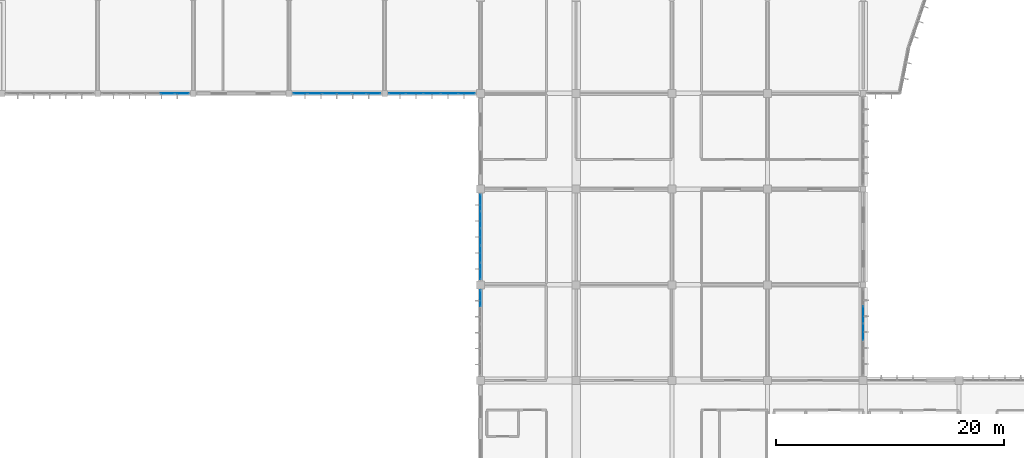
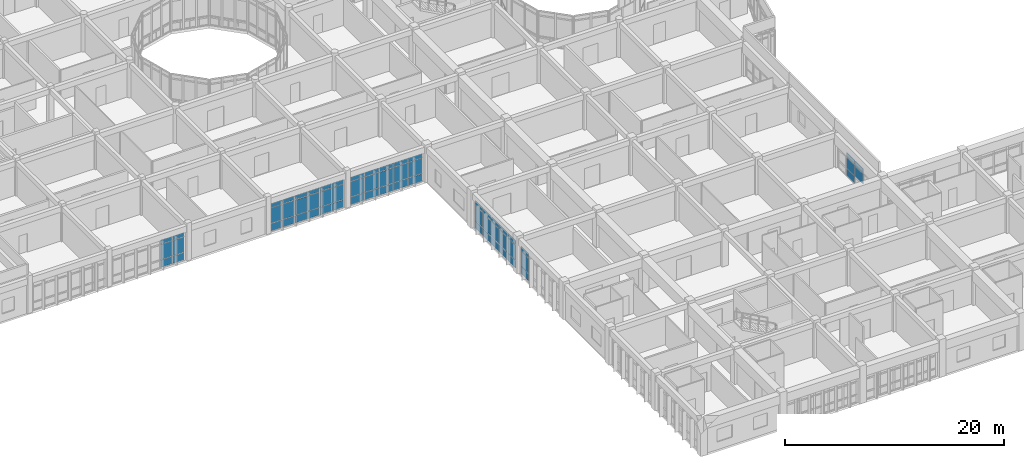
# One storey, part 58 of 119: 62 plates, 6 elements without a shape of their own.
"""IFC4 building model written with IfcOpenShell, lengths in metres."""

from ifc_helpers import new_model, si_unit, direction, frame, origin, origin_2d, place, context, subcontext, project, spatial, rectangle, extrude, material, layer, layer_set, type_object, element, aggregate, save


model = new_model("IFC4")

# Units and contexts
model_context = context("Model", 3, precision=1e-05, world=origin(), true_north=direction((0.0, 1.0)))
body_context = subcontext(model_context, "Body", "Model", "MODEL_VIEW")
ifc_project = project(units=[si_unit("LENGTHUNIT", "METRE"), si_unit("AREAUNIT", "SQUARE_METRE"), si_unit("VOLUMEUNIT", "CUBIC_METRE"), si_unit("PLANEANGLEUNIT", "RADIAN"), si_unit("MASSUNIT", "GRAM", prefix="KILO")], contexts=[model_context])

# Site, building, storey
site_placement = place(None, origin())
site = spatial("IfcSite", under=ifc_project, at=site_placement, CompositionType="ELEMENT")
building_placement = place(site_placement, origin())
building = spatial("IfcBuilding", under=site, at=building_placement, Name="Bramfleet General Hospital", CompositionType="ELEMENT")
storey_placement = place(building_placement, frame((0.0, 0.0, 14.39990234375)))
storey = spatial("IfcBuildingStorey", under=building, at=storey_placement, Name="L03", CompositionType="ELEMENT", Elevation=14.39990234375)

# Curtain wall, plates
ifc_material_1 = material(Name="Anodised aluminium and low-E triple glazing", Category="aluminium")
ifc_layer_1 = layer(ifc_material_1, 0.179931640625, Name="CWT-CW-15")
ifc_layer_set_1 = layer_set([ifc_layer_1], Name="Anodised aluminium and low-E triple glazing")
curtain_wall_type_1 = type_object("IfcCurtainWallType", Name="CWT-CW-15", PredefinedType="USERDEFINED", material=ifc_layer_set_1)
curtain_wall_1_placement = place(storey_placement, origin())
curtain_wall_1 = element("IfcCurtainWall", 1, at=curtain_wall_1_placement, inside=storey, type_object=curtain_wall_type_1, Name="L03 Curtain Wall 177", ObjectType="Stick curtain wall", PredefinedType="USERDEFINED")
ifc_material_2 = material(Name="Low-E laminated safety glass", Category="glass")
ifc_layer_2 = layer(ifc_material_2, 0.028076171875, Name="CWP-GLZ-1")
ifc_layer_set_2 = layer_set([ifc_layer_2], Name="Low-E laminated safety glass")
plate_type_1 = type_object("IfcPlateType", Name="CWP-GLZ-1", PredefinedType="CURTAIN_PANEL", material=ifc_layer_set_2)
plate_1_placement = place(storey_placement, frame((92.39990234375, 32.402587890625, 0.06494140625), z_axis=(0.0, 0.0, 1.0), x_axis=(0.0, 1.0, 0.0)))
plate_1 = element("IfcPlate", 2, at=plate_1_placement, type_object=plate_type_1, Name="CW-15 panel 5.1", PredefinedType="CURTAIN_PANEL", context=body_context, shape_type="SweptSolid", body=[
    extrude(rectangle(XDim=1.405029296875, YDim=0.028076171875, at=origin_2d()), origin(), (0.0, 0.0, 1.0), 0.802490234375),
])
plate_2_placement = place(storey_placement, frame((92.39990234375, 32.402587890625, 0.9326171875), z_axis=(0.0, 0.0, 1.0), x_axis=(0.0, 1.0, 0.0)))
plate_2 = element("IfcPlate", 3, at=plate_2_placement, type_object=plate_type_1, Name="CW-15 panel 5.2", PredefinedType="CURTAIN_PANEL", context=body_context, shape_type="SweptSolid", body=[
    extrude(rectangle(XDim=1.405029296875, YDim=0.028076171875, at=origin_2d()), origin(), (0.0, 0.0, 1.0), 1.675048828125),
])
plate_3_placement = place(storey_placement, frame((92.39990234375, 32.402587890625, 2.6728515625), z_axis=(0.0, 0.0, 1.0), x_axis=(0.0, 1.0, 0.0)))
plate_3 = element("IfcPlate", 4, at=plate_3_placement, type_object=plate_type_1, Name="CW-15 panel 5.3", PredefinedType="CURTAIN_PANEL", context=body_context, shape_type="SweptSolid", body=[
    extrude(rectangle(XDim=1.405029296875, YDim=0.028076171875, at=origin_2d()), origin(), (0.0, 0.0, 1.0), 0.452392578125),
])
aggregate(curtain_wall_1, [plate_1, plate_2, plate_3])

ifc_layer_3 = layer(ifc_material_1, 0.179931640625, Name="CWT-CW-01")
ifc_layer_set_3 = layer_set([ifc_layer_3], Name="Anodised aluminium and low-E triple glazing")
curtain_wall_type_2 = type_object("IfcCurtainWallType", Name="CWT-CW-01", PredefinedType="USERDEFINED", material=ifc_layer_set_3)
curtain_wall_2_placement = place(storey_placement, origin())
curtain_wall_2 = element("IfcCurtainWall", 5, at=curtain_wall_2_placement, inside=storey, type_object=curtain_wall_type_2, Name="L03 Curtain Wall 181", ObjectType="Unitised curtain wall", PredefinedType="USERDEFINED")
plate_4_placement = place(storey_placement, frame((66.211669921875, 50.39990234375, 0.06494140625), z_axis=(0.0, 0.0, 1.0), x_axis=(-1.0, 0.0, 0.0)))
plate_4 = element("IfcPlate", 6, at=plate_4_placement, type_object=plate_type_1, Name="CW-01 panel 1.1", PredefinedType="CURTAIN_PANEL", context=body_context, shape_type="SweptSolid", body=[
    extrude(rectangle(XDim=1.186767578125, YDim=0.028076171875, at=origin_2d()), origin(), (0.0, 0.0, 1.0), 0.802490234375),
])
plate_5_placement = place(storey_placement, frame((66.211669921875, 50.39990234375, 0.9326171875), z_axis=(0.0, 0.0, 1.0), x_axis=(-1.0, 0.0, 0.0)))
plate_5 = element("IfcPlate", 7, at=plate_5_placement, type_object=plate_type_1, Name="CW-01 panel 1.2", PredefinedType="CURTAIN_PANEL", context=body_context, shape_type="SweptSolid", body=[
    extrude(rectangle(XDim=1.186767578125, YDim=0.028076171875, at=origin_2d()), origin(), (0.0, 0.0, 1.0), 1.675048828125),
])
plate_6_placement = place(storey_placement, frame((66.211669921875, 50.39990234375, 2.6728515625), z_axis=(0.0, 0.0, 1.0), x_axis=(-1.0, 0.0, 0.0)))
plate_6 = element("IfcPlate", 8, at=plate_6_placement, type_object=plate_type_1, Name="CW-01 panel 1.3", PredefinedType="CURTAIN_PANEL", context=body_context, shape_type="SweptSolid", body=[
    extrude(rectangle(XDim=1.186767578125, YDim=0.028076171875, at=origin_2d()), origin(), (0.0, 0.0, 1.0), 0.452392578125),
])
plate_7_placement = place(storey_placement, frame((64.9375, 50.39990234375, 0.06494140625), z_axis=(0.0, 0.0, 1.0), x_axis=(-1.0, 0.0, 0.0)))
plate_7 = element("IfcPlate", 9, at=plate_7_placement, type_object=plate_type_1, Name="CW-01 panel 2.1", PredefinedType="CURTAIN_PANEL", context=body_context, shape_type="SweptSolid", body=[
    extrude(rectangle(XDim=1.2216796875, YDim=0.028076171875, at=origin_2d()), origin(), (0.0, 0.0, 1.0), 0.802490234375),
])
plate_8_placement = place(storey_placement, frame((64.9375, 50.39990234375, 0.9326171875), z_axis=(0.0, 0.0, 1.0), x_axis=(-1.0, 0.0, 0.0)))
plate_8 = element("IfcPlate", 10, at=plate_8_placement, type_object=plate_type_1, Name="CW-01 panel 2.2", PredefinedType="CURTAIN_PANEL", context=body_context, shape_type="SweptSolid", body=[
    extrude(rectangle(XDim=1.2216796875, YDim=0.028076171875, at=origin_2d()), origin(), (0.0, 0.0, 1.0), 1.675048828125),
])
plate_9_placement = place(storey_placement, frame((64.9375, 50.39990234375, 2.6728515625), z_axis=(0.0, 0.0, 1.0), x_axis=(-1.0, 0.0, 0.0)))
plate_9 = element("IfcPlate", 11, at=plate_9_placement, type_object=plate_type_1, Name="CW-01 panel 2.3", PredefinedType="CURTAIN_PANEL", context=body_context, shape_type="SweptSolid", body=[
    extrude(rectangle(XDim=1.2216796875, YDim=0.028076171875, at=origin_2d()), origin(), (0.0, 0.0, 1.0), 0.452392578125),
])
aggregate(curtain_wall_2, [plate_4, plate_5, plate_6, plate_7, plate_8, plate_9])

ifc_layer_4 = layer(ifc_material_1, 0.179931640625, Name="CWT-CW-16")
ifc_layer_set_4 = layer_set([ifc_layer_4], Name="Anodised aluminium and low-E triple glazing")
curtain_wall_type_3 = type_object("IfcCurtainWallType", Name="CWT-CW-16", PredefinedType="USERDEFINED", material=ifc_layer_set_4)
curtain_wall_3_placement = place(storey_placement, origin())
curtain_wall_3 = element("IfcCurtainWall", 12, at=curtain_wall_3_placement, inside=storey, type_object=curtain_wall_type_3, Name="L03 Curtain Wall 178", ObjectType="Stick curtain wall", PredefinedType="USERDEFINED")
ifc_layer_5 = layer(ifc_material_2, 0.031982421875, Name="CWP-GLZ-2")
ifc_layer_set_5 = layer_set([ifc_layer_5], Name="Low-E laminated safety glass")
plate_type_2 = type_object("IfcPlateType", Name="CWP-GLZ-2", PredefinedType="CURTAIN_PANEL", material=ifc_layer_set_5)
plate_10_placement = place(storey_placement, frame((92.39990234375, 34.797607421875, 0.06494140625), z_axis=(0.0, 0.0, 1.0), x_axis=(0.0, 1.0, 0.0)))
plate_10 = element("IfcPlate", 13, at=plate_10_placement, type_object=plate_type_2, Name="CW-16 panel 1.1", PredefinedType="CURTAIN_PANEL", context=body_context, shape_type="SweptSolid", body=[
    extrude(rectangle(XDim=1.405029296875, YDim=0.031982421875, at=origin_2d()), origin(), (0.0, 0.0, 1.0), 0.802490234375),
])
plate_11_placement = place(storey_placement, frame((92.39990234375, 34.797607421875, 0.9326171875), z_axis=(0.0, 0.0, 1.0), x_axis=(0.0, 1.0, 0.0)))
plate_11 = element("IfcPlate", 14, at=plate_11_placement, type_object=plate_type_2, Name="CW-16 panel 1.2", PredefinedType="CURTAIN_PANEL", context=body_context, shape_type="SweptSolid", body=[
    extrude(rectangle(XDim=1.405029296875, YDim=0.031982421875, at=origin_2d()), origin(), (0.0, 0.0, 1.0), 1.675048828125),
])
plate_12_placement = place(storey_placement, frame((92.39990234375, 34.797607421875, 2.6728515625), z_axis=(0.0, 0.0, 1.0), x_axis=(0.0, 1.0, 0.0)))
plate_12 = element("IfcPlate", 15, at=plate_12_placement, type_object=plate_type_2, Name="CW-16 panel 1.3", PredefinedType="CURTAIN_PANEL", context=body_context, shape_type="SweptSolid", body=[
    extrude(rectangle(XDim=1.405029296875, YDim=0.031982421875, at=origin_2d()), origin(), (0.0, 0.0, 1.0), 0.452392578125),
])
plate_13_placement = place(storey_placement, frame((92.39990234375, 36.2900390625, 0.06494140625), z_axis=(0.0, 0.0, 1.0), x_axis=(0.0, 1.0, 0.0)))
plate_13 = element("IfcPlate", 16, at=plate_13_placement, type_object=plate_type_2, Name="CW-16 panel 2.1", PredefinedType="CURTAIN_PANEL", context=body_context, shape_type="SweptSolid", body=[
    extrude(rectangle(XDim=1.43994140625, YDim=0.031982421875, at=origin_2d()), origin(), (0.0, 0.0, 1.0), 0.802490234375),
])
plate_14_placement = place(storey_placement, frame((92.39990234375, 36.2900390625, 0.9326171875), z_axis=(0.0, 0.0, 1.0), x_axis=(0.0, 1.0, 0.0)))
plate_14 = element("IfcPlate", 17, at=plate_14_placement, type_object=plate_type_2, Name="CW-16 panel 2.2", PredefinedType="CURTAIN_PANEL", context=body_context, shape_type="SweptSolid", body=[
    extrude(rectangle(XDim=1.43994140625, YDim=0.031982421875, at=origin_2d()), origin(), (0.0, 0.0, 1.0), 1.675048828125),
])
plate_15_placement = place(storey_placement, frame((92.39990234375, 36.2900390625, 2.6728515625), z_axis=(0.0, 0.0, 1.0), x_axis=(0.0, 1.0, 0.0)))
plate_15 = element("IfcPlate", 18, at=plate_15_placement, type_object=plate_type_2, Name="CW-16 panel 2.3", PredefinedType="CURTAIN_PANEL", context=body_context, shape_type="SweptSolid", body=[
    extrude(rectangle(XDim=1.43994140625, YDim=0.031982421875, at=origin_2d()), origin(), (0.0, 0.0, 1.0), 0.452392578125),
])
plate_16_placement = place(storey_placement, frame((92.39990234375, 37.800048828125, 0.06494140625), z_axis=(0.0, 0.0, 1.0), x_axis=(0.0, 1.0, 0.0)))
plate_16 = element("IfcPlate", 19, at=plate_16_placement, type_object=plate_type_2, Name="CW-16 panel 3.1", PredefinedType="CURTAIN_PANEL", context=body_context, shape_type="SweptSolid", body=[
    extrude(rectangle(XDim=1.43994140625, YDim=0.031982421875, at=origin_2d()), origin(), (0.0, 0.0, 1.0), 0.802490234375),
])
plate_17_placement = place(storey_placement, frame((92.39990234375, 37.800048828125, 0.9326171875), z_axis=(0.0, 0.0, 1.0), x_axis=(0.0, 1.0, 0.0)))
plate_17 = element("IfcPlate", 20, at=plate_17_placement, type_object=plate_type_2, Name="CW-16 panel 3.2", PredefinedType="CURTAIN_PANEL", context=body_context, shape_type="SweptSolid", body=[
    extrude(rectangle(XDim=1.43994140625, YDim=0.031982421875, at=origin_2d()), origin(), (0.0, 0.0, 1.0), 1.675048828125),
])
plate_18_placement = place(storey_placement, frame((92.39990234375, 37.800048828125, 2.6728515625), z_axis=(0.0, 0.0, 1.0), x_axis=(0.0, 1.0, 0.0)))
plate_18 = element("IfcPlate", 21, at=plate_18_placement, type_object=plate_type_2, Name="CW-16 panel 3.3", PredefinedType="CURTAIN_PANEL", context=body_context, shape_type="SweptSolid", body=[
    extrude(rectangle(XDim=1.43994140625, YDim=0.031982421875, at=origin_2d()), origin(), (0.0, 0.0, 1.0), 0.452392578125),
])
plate_19_placement = place(storey_placement, frame((92.39990234375, 39.31005859375, 0.06494140625), z_axis=(0.0, 0.0, 1.0), x_axis=(0.0, 1.0, 0.0)))
plate_19 = element("IfcPlate", 22, at=plate_19_placement, type_object=plate_type_2, Name="CW-16 panel 4.1", PredefinedType="CURTAIN_PANEL", context=body_context, shape_type="SweptSolid", body=[
    extrude(rectangle(XDim=1.43994140625, YDim=0.031982421875, at=origin_2d()), origin(), (0.0, 0.0, 1.0), 0.802490234375),
])
plate_20_placement = place(storey_placement, frame((92.39990234375, 39.31005859375, 0.9326171875), z_axis=(0.0, 0.0, 1.0), x_axis=(0.0, 1.0, 0.0)))
plate_20 = element("IfcPlate", 23, at=plate_20_placement, type_object=plate_type_2, Name="CW-16 panel 4.2", PredefinedType="CURTAIN_PANEL", context=body_context, shape_type="SweptSolid", body=[
    extrude(rectangle(XDim=1.43994140625, YDim=0.031982421875, at=origin_2d()), origin(), (0.0, 0.0, 1.0), 1.675048828125),
])
plate_21_placement = place(storey_placement, frame((92.39990234375, 39.31005859375, 2.6728515625), z_axis=(0.0, 0.0, 1.0), x_axis=(0.0, 1.0, 0.0)))
plate_21 = element("IfcPlate", 24, at=plate_21_placement, type_object=plate_type_2, Name="CW-16 panel 4.3", PredefinedType="CURTAIN_PANEL", context=body_context, shape_type="SweptSolid", body=[
    extrude(rectangle(XDim=1.43994140625, YDim=0.031982421875, at=origin_2d()), origin(), (0.0, 0.0, 1.0), 0.452392578125),
])
plate_22_placement = place(storey_placement, frame((92.39990234375, 40.802490234375, 0.06494140625), z_axis=(0.0, 0.0, 1.0), x_axis=(0.0, 1.0, 0.0)))
plate_22 = element("IfcPlate", 25, at=plate_22_placement, type_object=plate_type_2, Name="CW-16 panel 5.1", PredefinedType="CURTAIN_PANEL", context=body_context, shape_type="SweptSolid", body=[
    extrude(rectangle(XDim=1.405029296875, YDim=0.031982421875, at=origin_2d()), origin(), (0.0, 0.0, 1.0), 0.802490234375),
])
plate_23_placement = place(storey_placement, frame((92.39990234375, 40.802490234375, 0.9326171875), z_axis=(0.0, 0.0, 1.0), x_axis=(0.0, 1.0, 0.0)))
plate_23 = element("IfcPlate", 26, at=plate_23_placement, type_object=plate_type_2, Name="CW-16 panel 5.2", PredefinedType="CURTAIN_PANEL", context=body_context, shape_type="SweptSolid", body=[
    extrude(rectangle(XDim=1.405029296875, YDim=0.031982421875, at=origin_2d()), origin(), (0.0, 0.0, 1.0), 1.675048828125),
])
plate_24_placement = place(storey_placement, frame((92.39990234375, 40.802490234375, 2.6728515625), z_axis=(0.0, 0.0, 1.0), x_axis=(0.0, 1.0, 0.0)))
plate_24 = element("IfcPlate", 27, at=plate_24_placement, type_object=plate_type_2, Name="CW-16 panel 5.3", PredefinedType="CURTAIN_PANEL", context=body_context, shape_type="SweptSolid", body=[
    extrude(rectangle(XDim=1.405029296875, YDim=0.031982421875, at=origin_2d()), origin(), (0.0, 0.0, 1.0), 0.452392578125),
])
aggregate(curtain_wall_3, [plate_10, plate_11, plate_12, plate_13, plate_14, plate_15, plate_16, plate_17, plate_18, plate_19, plate_20, plate_21, plate_22, plate_23, plate_24])

curtain_wall_4_placement = place(storey_placement, origin())
curtain_wall_4 = element("IfcCurtainWall", 28, at=curtain_wall_4_placement, inside=storey, type_object=curtain_wall_type_2, Name="L03 Curtain Wall 163", ObjectType="Unitised curtain wall", PredefinedType="USERDEFINED")
ifc_layer_6 = layer(ifc_material_2, 0.035888671875, Name="CWP-GLZ-3")
ifc_layer_set_6 = layer_set([ifc_layer_6], Name="Low-E laminated safety glass")
plate_type_3 = type_object("IfcPlateType", Name="CWP-GLZ-3", PredefinedType="CURTAIN_PANEL", material=ifc_layer_set_6)
plate_25_placement = place(storey_placement, frame((126.0, 30.97998046875, 0.06494140625), z_axis=(0.0, 0.0, 1.0), x_axis=(0.0, -1.0, 0.0)))
plate_25 = element("IfcPlate", 29, at=plate_25_placement, type_object=plate_type_3, Name="CW-01 panel 2.1", PredefinedType="CURTAIN_PANEL", context=body_context, shape_type="SweptSolid", body=[
    extrude(rectangle(XDim=1.4599609375, YDim=0.035888671875, at=origin_2d()), origin(), (0.0, 0.0, 1.0), 0.802490234375),
])
plate_26_placement = place(storey_placement, frame((126.0, 30.97998046875, 0.9326171875), z_axis=(0.0, 0.0, 1.0), x_axis=(0.0, -1.0, 0.0)))
plate_26 = element("IfcPlate", 30, at=plate_26_placement, type_object=plate_type_3, Name="CW-01 panel 2.2", PredefinedType="CURTAIN_PANEL", context=body_context, shape_type="SweptSolid", body=[
    extrude(rectangle(XDim=1.4599609375, YDim=0.035888671875, at=origin_2d()), origin(), (0.0, 0.0, 1.0), 1.175048828125),
])
plate_27_placement = place(storey_placement, frame((126.0, 30.97998046875, 2.1728515625), z_axis=(0.0, 0.0, 1.0), x_axis=(0.0, -1.0, 0.0)))
plate_27 = element("IfcPlate", 31, at=plate_27_placement, type_object=plate_type_3, Name="CW-01 panel 2.3", PredefinedType="CURTAIN_PANEL", context=body_context, shape_type="SweptSolid", body=[
    extrude(rectangle(XDim=1.4599609375, YDim=0.035888671875, at=origin_2d()), origin(), (0.0, 0.0, 1.0), 0.452392578125),
])
plate_28_placement = place(storey_placement, frame((126.0, 29.449951171875, 0.9326171875), z_axis=(0.0, 0.0, 1.0), x_axis=(0.0, -1.0, 0.0)))
plate_28 = element("IfcPlate", 32, at=plate_28_placement, type_object=plate_type_3, Name="CW-01 panel 3.2", PredefinedType="CURTAIN_PANEL", context=body_context, shape_type="SweptSolid", body=[
    extrude(rectangle(XDim=1.4599609375, YDim=0.035888671875, at=origin_2d()), origin(), (0.0, 0.0, 1.0), 1.175048828125),
])
plate_29_placement = place(storey_placement, frame((126.0, 29.449951171875, 2.1728515625), z_axis=(0.0, 0.0, 1.0), x_axis=(0.0, -1.0, 0.0)))
plate_29 = element("IfcPlate", 33, at=plate_29_placement, type_object=plate_type_3, Name="CW-01 panel 3.3", PredefinedType="CURTAIN_PANEL", context=body_context, shape_type="SweptSolid", body=[
    extrude(rectangle(XDim=1.4599609375, YDim=0.035888671875, at=origin_2d()), origin(), (0.0, 0.0, 1.0), 0.452392578125),
])
aggregate(curtain_wall_4, [plate_25, plate_26, plate_27, plate_28, plate_29])

ifc_layer_7 = layer(ifc_material_1, 0.179931640625, Name="CWT-CW-17")
ifc_layer_set_7 = layer_set([ifc_layer_7], Name="Anodised aluminium and low-E triple glazing")
curtain_wall_type_4 = type_object("IfcCurtainWallType", Name="CWT-CW-17", PredefinedType="USERDEFINED", material=ifc_layer_set_7)
curtain_wall_5_placement = place(storey_placement, origin())
curtain_wall_5 = element("IfcCurtainWall", 34, at=curtain_wall_5_placement, inside=storey, type_object=curtain_wall_type_4, Name="L03 Curtain Wall 179", ObjectType="Stick curtain wall", PredefinedType="USERDEFINED")
plate_30_placement = place(storey_placement, frame((91.1923828125, 50.39990234375, 0.06494140625), z_axis=(0.0, 0.0, 1.0), x_axis=(-1.0, 0.0, 0.0)))
plate_30 = element("IfcPlate", 35, at=plate_30_placement, type_object=plate_type_3, Name="CW-17 panel 1.1", PredefinedType="CURTAIN_PANEL", context=body_context, shape_type="SweptSolid", body=[
    extrude(rectangle(XDim=1.425048828125, YDim=0.035888671875, at=origin_2d()), origin(), (0.0, 0.0, 1.0), 0.802490234375),
])
plate_31_placement = place(storey_placement, frame((91.1923828125, 50.39990234375, 0.9326171875), z_axis=(0.0, 0.0, 1.0), x_axis=(-1.0, 0.0, 0.0)))
plate_31 = element("IfcPlate", 36, at=plate_31_placement, type_object=plate_type_3, Name="CW-17 panel 1.2", PredefinedType="CURTAIN_PANEL", context=body_context, shape_type="SweptSolid", body=[
    extrude(rectangle(XDim=1.425048828125, YDim=0.035888671875, at=origin_2d()), origin(), (0.0, 0.0, 1.0), 1.675048828125),
])
plate_32_placement = place(storey_placement, frame((91.1923828125, 50.39990234375, 2.6728515625), z_axis=(0.0, 0.0, 1.0), x_axis=(-1.0, 0.0, 0.0)))
plate_32 = element("IfcPlate", 37, at=plate_32_placement, type_object=plate_type_3, Name="CW-17 panel 1.3", PredefinedType="CURTAIN_PANEL", context=body_context, shape_type="SweptSolid", body=[
    extrude(rectangle(XDim=1.425048828125, YDim=0.035888671875, at=origin_2d()), origin(), (0.0, 0.0, 1.0), 0.452392578125),
])
plate_33_placement = place(storey_placement, frame((89.679931640625, 50.39990234375, 0.06494140625), z_axis=(0.0, 0.0, 1.0), x_axis=(-1.0, 0.0, 0.0)))
plate_33 = element("IfcPlate", 38, at=plate_33_placement, type_object=plate_type_3, Name="CW-17 panel 2.1", PredefinedType="CURTAIN_PANEL", context=body_context, shape_type="SweptSolid", body=[
    extrude(rectangle(XDim=1.4599609375, YDim=0.035888671875, at=origin_2d()), origin(), (0.0, 0.0, 1.0), 0.802490234375),
])
plate_34_placement = place(storey_placement, frame((89.679931640625, 50.39990234375, 0.9326171875), z_axis=(0.0, 0.0, 1.0), x_axis=(-1.0, 0.0, 0.0)))
plate_34 = element("IfcPlate", 39, at=plate_34_placement, type_object=plate_type_3, Name="CW-17 panel 2.2", PredefinedType="CURTAIN_PANEL", context=body_context, shape_type="SweptSolid", body=[
    extrude(rectangle(XDim=1.4599609375, YDim=0.035888671875, at=origin_2d()), origin(), (0.0, 0.0, 1.0), 1.675048828125),
])
plate_35_placement = place(storey_placement, frame((89.679931640625, 50.39990234375, 2.6728515625), z_axis=(0.0, 0.0, 1.0), x_axis=(-1.0, 0.0, 0.0)))
plate_35 = element("IfcPlate", 40, at=plate_35_placement, type_object=plate_type_3, Name="CW-17 panel 2.3", PredefinedType="CURTAIN_PANEL", context=body_context, shape_type="SweptSolid", body=[
    extrude(rectangle(XDim=1.4599609375, YDim=0.035888671875, at=origin_2d()), origin(), (0.0, 0.0, 1.0), 0.452392578125),
])
plate_36_placement = place(storey_placement, frame((88.14990234375, 50.39990234375, 0.06494140625), z_axis=(0.0, 0.0, 1.0), x_axis=(-1.0, 0.0, 0.0)))
plate_36 = element("IfcPlate", 41, at=plate_36_placement, type_object=plate_type_3, Name="CW-17 panel 3.1", PredefinedType="CURTAIN_PANEL", context=body_context, shape_type="SweptSolid", body=[
    extrude(rectangle(XDim=1.4599609375, YDim=0.035888671875, at=origin_2d()), origin(), (0.0, 0.0, 1.0), 0.802490234375),
])
plate_37_placement = place(storey_placement, frame((88.14990234375, 50.39990234375, 0.9326171875), z_axis=(0.0, 0.0, 1.0), x_axis=(-1.0, 0.0, 0.0)))
plate_37 = element("IfcPlate", 42, at=plate_37_placement, type_object=plate_type_3, Name="CW-17 panel 3.2", PredefinedType="CURTAIN_PANEL", context=body_context, shape_type="SweptSolid", body=[
    extrude(rectangle(XDim=1.4599609375, YDim=0.035888671875, at=origin_2d()), origin(), (0.0, 0.0, 1.0), 1.675048828125),
])
plate_38_placement = place(storey_placement, frame((88.14990234375, 50.39990234375, 2.6728515625), z_axis=(0.0, 0.0, 1.0), x_axis=(-1.0, 0.0, 0.0)))
plate_38 = element("IfcPlate", 43, at=plate_38_placement, type_object=plate_type_3, Name="CW-17 panel 3.3", PredefinedType="CURTAIN_PANEL", context=body_context, shape_type="SweptSolid", body=[
    extrude(rectangle(XDim=1.4599609375, YDim=0.035888671875, at=origin_2d()), origin(), (0.0, 0.0, 1.0), 0.452392578125),
])
plate_39_placement = place(storey_placement, frame((86.6201171875, 50.39990234375, 0.06494140625), z_axis=(0.0, 0.0, 1.0), x_axis=(-1.0, 0.0, 0.0)))
plate_39 = element("IfcPlate", 44, at=plate_39_placement, type_object=plate_type_3, Name="CW-17 panel 4.1", PredefinedType="CURTAIN_PANEL", context=body_context, shape_type="SweptSolid", body=[
    extrude(rectangle(XDim=1.4599609375, YDim=0.035888671875, at=origin_2d()), origin(), (0.0, 0.0, 1.0), 0.802490234375),
])
plate_40_placement = place(storey_placement, frame((86.6201171875, 50.39990234375, 0.9326171875), z_axis=(0.0, 0.0, 1.0), x_axis=(-1.0, 0.0, 0.0)))
plate_40 = element("IfcPlate", 45, at=plate_40_placement, type_object=plate_type_3, Name="CW-17 panel 4.2", PredefinedType="CURTAIN_PANEL", context=body_context, shape_type="SweptSolid", body=[
    extrude(rectangle(XDim=1.4599609375, YDim=0.035888671875, at=origin_2d()), origin(), (0.0, 0.0, 1.0), 1.675048828125),
])
plate_41_placement = place(storey_placement, frame((86.6201171875, 50.39990234375, 2.6728515625), z_axis=(0.0, 0.0, 1.0), x_axis=(-1.0, 0.0, 0.0)))
plate_41 = element("IfcPlate", 46, at=plate_41_placement, type_object=plate_type_3, Name="CW-17 panel 4.3", PredefinedType="CURTAIN_PANEL", context=body_context, shape_type="SweptSolid", body=[
    extrude(rectangle(XDim=1.4599609375, YDim=0.035888671875, at=origin_2d()), origin(), (0.0, 0.0, 1.0), 0.452392578125),
])
plate_42_placement = place(storey_placement, frame((85.107421875, 50.39990234375, 0.06494140625), z_axis=(0.0, 0.0, 1.0), x_axis=(-1.0, 0.0, 0.0)))
plate_42 = element("IfcPlate", 47, at=plate_42_placement, type_object=plate_type_3, Name="CW-17 panel 5.1", PredefinedType="CURTAIN_PANEL", context=body_context, shape_type="SweptSolid", body=[
    extrude(rectangle(XDim=1.425048828125, YDim=0.035888671875, at=origin_2d()), origin(), (0.0, 0.0, 1.0), 0.802490234375),
])
plate_43_placement = place(storey_placement, frame((85.107421875, 50.39990234375, 0.9326171875), z_axis=(0.0, 0.0, 1.0), x_axis=(-1.0, 0.0, 0.0)))
plate_43 = element("IfcPlate", 48, at=plate_43_placement, type_object=plate_type_3, Name="CW-17 panel 5.2", PredefinedType="CURTAIN_PANEL", context=body_context, shape_type="SweptSolid", body=[
    extrude(rectangle(XDim=1.425048828125, YDim=0.035888671875, at=origin_2d()), origin(), (0.0, 0.0, 1.0), 1.675048828125),
])
plate_44_placement = place(storey_placement, frame((85.107421875, 50.39990234375, 2.6728515625), z_axis=(0.0, 0.0, 1.0), x_axis=(-1.0, 0.0, 0.0)))
plate_44 = element("IfcPlate", 49, at=plate_44_placement, type_object=plate_type_3, Name="CW-17 panel 5.3", PredefinedType="CURTAIN_PANEL", context=body_context, shape_type="SweptSolid", body=[
    extrude(rectangle(XDim=1.425048828125, YDim=0.035888671875, at=origin_2d()), origin(), (0.0, 0.0, 1.0), 0.452392578125),
])
aggregate(curtain_wall_5, [plate_30, plate_31, plate_32, plate_33, plate_34, plate_35, plate_36, plate_37, plate_38, plate_39, plate_40, plate_41, plate_42, plate_43, plate_44])

ifc_layer_8 = layer(ifc_material_1, 0.179931640625, Name="CWT-CW-18")
ifc_layer_set_8 = layer_set([ifc_layer_8], Name="Anodised aluminium and low-E triple glazing")
curtain_wall_type_5 = type_object("IfcCurtainWallType", Name="CWT-CW-18", PredefinedType="USERDEFINED", material=ifc_layer_set_8)
curtain_wall_6_placement = place(storey_placement, origin())
curtain_wall_6 = element("IfcCurtainWall", 50, at=curtain_wall_6_placement, inside=storey, type_object=curtain_wall_type_5, Name="L03 Curtain Wall 180", ObjectType="Stick curtain wall", PredefinedType="USERDEFINED")
ifc_layer_9 = layer(ifc_material_2, 0.0419921875, Name="CWP-GLZ-4")
ifc_layer_set_9 = layer_set([ifc_layer_9], Name="Low-E laminated safety glass")
plate_type_4 = type_object("IfcPlateType", Name="CWP-GLZ-4", PredefinedType="CURTAIN_PANEL", material=ifc_layer_set_9)
plate_45_placement = place(storey_placement, frame((83.01171875, 50.39990234375, 0.06494140625), z_axis=(0.0, 0.0, 1.0), x_axis=(-1.0, 0.0, 0.0)))
plate_45 = element("IfcPlate", 51, at=plate_45_placement, type_object=plate_type_4, Name="CW-18 panel 1.1", PredefinedType="CURTAIN_PANEL", context=body_context, shape_type="SweptSolid", body=[
    extrude(rectangle(XDim=1.186767578125, YDim=0.0419921875, at=origin_2d()), origin(), (0.0, 0.0, 1.0), 0.802490234375),
])
plate_46_placement = place(storey_placement, frame((83.01171875, 50.39990234375, 0.9326171875), z_axis=(0.0, 0.0, 1.0), x_axis=(-1.0, 0.0, 0.0)))
plate_46 = element("IfcPlate", 52, at=plate_46_placement, type_object=plate_type_4, Name="CW-18 panel 1.2", PredefinedType="CURTAIN_PANEL", context=body_context, shape_type="SweptSolid", body=[
    extrude(rectangle(XDim=1.186767578125, YDim=0.0419921875, at=origin_2d()), origin(), (0.0, 0.0, 1.0), 1.675048828125),
])
plate_47_placement = place(storey_placement, frame((83.01171875, 50.39990234375, 2.6728515625), z_axis=(0.0, 0.0, 1.0), x_axis=(-1.0, 0.0, 0.0)))
plate_47 = element("IfcPlate", 53, at=plate_47_placement, type_object=plate_type_4, Name="CW-18 panel 1.3", PredefinedType="CURTAIN_PANEL", context=body_context, shape_type="SweptSolid", body=[
    extrude(rectangle(XDim=1.186767578125, YDim=0.0419921875, at=origin_2d()), origin(), (0.0, 0.0, 1.0), 0.452392578125),
])
plate_48_placement = place(storey_placement, frame((81.737548828125, 50.39990234375, 0.06494140625), z_axis=(0.0, 0.0, 1.0), x_axis=(-1.0, 0.0, 0.0)))
plate_48 = element("IfcPlate", 54, at=plate_48_placement, type_object=plate_type_4, Name="CW-18 panel 2.1", PredefinedType="CURTAIN_PANEL", context=body_context, shape_type="SweptSolid", body=[
    extrude(rectangle(XDim=1.2216796875, YDim=0.0419921875, at=origin_2d()), origin(), (0.0, 0.0, 1.0), 0.802490234375),
])
plate_49_placement = place(storey_placement, frame((81.737548828125, 50.39990234375, 0.9326171875), z_axis=(0.0, 0.0, 1.0), x_axis=(-1.0, 0.0, 0.0)))
plate_49 = element("IfcPlate", 55, at=plate_49_placement, type_object=plate_type_4, Name="CW-18 panel 2.2", PredefinedType="CURTAIN_PANEL", context=body_context, shape_type="SweptSolid", body=[
    extrude(rectangle(XDim=1.2216796875, YDim=0.0419921875, at=origin_2d()), origin(), (0.0, 0.0, 1.0), 1.675048828125),
])
plate_50_placement = place(storey_placement, frame((81.737548828125, 50.39990234375, 2.6728515625), z_axis=(0.0, 0.0, 1.0), x_axis=(-1.0, 0.0, 0.0)))
plate_50 = element("IfcPlate", 56, at=plate_50_placement, type_object=plate_type_4, Name="CW-18 panel 2.3", PredefinedType="CURTAIN_PANEL", context=body_context, shape_type="SweptSolid", body=[
    extrude(rectangle(XDim=1.2216796875, YDim=0.0419921875, at=origin_2d()), origin(), (0.0, 0.0, 1.0), 0.452392578125),
])
plate_51_placement = place(storey_placement, frame((80.44580078125, 50.39990234375, 0.06494140625), z_axis=(0.0, 0.0, 1.0), x_axis=(-1.0, 0.0, 0.0)))
plate_51 = element("IfcPlate", 57, at=plate_51_placement, type_object=plate_type_4, Name="CW-18 panel 3.1", PredefinedType="CURTAIN_PANEL", context=body_context, shape_type="SweptSolid", body=[
    extrude(rectangle(XDim=1.2216796875, YDim=0.0419921875, at=origin_2d()), origin(), (0.0, 0.0, 1.0), 0.802490234375),
])
plate_52_placement = place(storey_placement, frame((80.44580078125, 50.39990234375, 0.9326171875), z_axis=(0.0, 0.0, 1.0), x_axis=(-1.0, 0.0, 0.0)))
plate_52 = element("IfcPlate", 58, at=plate_52_placement, type_object=plate_type_4, Name="CW-18 panel 3.2", PredefinedType="CURTAIN_PANEL", context=body_context, shape_type="SweptSolid", body=[
    extrude(rectangle(XDim=1.2216796875, YDim=0.0419921875, at=origin_2d()), origin(), (0.0, 0.0, 1.0), 1.675048828125),
])
plate_53_placement = place(storey_placement, frame((80.44580078125, 50.39990234375, 2.6728515625), z_axis=(0.0, 0.0, 1.0), x_axis=(-1.0, 0.0, 0.0)))
plate_53 = element("IfcPlate", 59, at=plate_53_placement, type_object=plate_type_4, Name="CW-18 panel 3.3", PredefinedType="CURTAIN_PANEL", context=body_context, shape_type="SweptSolid", body=[
    extrude(rectangle(XDim=1.2216796875, YDim=0.0419921875, at=origin_2d()), origin(), (0.0, 0.0, 1.0), 0.452392578125),
])
plate_54_placement = place(storey_placement, frame((79.154052734375, 50.39990234375, 0.06494140625), z_axis=(0.0, 0.0, 1.0), x_axis=(-1.0, 0.0, 0.0)))
plate_54 = element("IfcPlate", 60, at=plate_54_placement, type_object=plate_type_4, Name="CW-18 panel 4.1", PredefinedType="CURTAIN_PANEL", context=body_context, shape_type="SweptSolid", body=[
    extrude(rectangle(XDim=1.2216796875, YDim=0.0419921875, at=origin_2d()), origin(), (0.0, 0.0, 1.0), 0.802490234375),
])
plate_55_placement = place(storey_placement, frame((79.154052734375, 50.39990234375, 0.9326171875), z_axis=(0.0, 0.0, 1.0), x_axis=(-1.0, 0.0, 0.0)))
plate_55 = element("IfcPlate", 61, at=plate_55_placement, type_object=plate_type_4, Name="CW-18 panel 4.2", PredefinedType="CURTAIN_PANEL", context=body_context, shape_type="SweptSolid", body=[
    extrude(rectangle(XDim=1.2216796875, YDim=0.0419921875, at=origin_2d()), origin(), (0.0, 0.0, 1.0), 1.675048828125),
])
plate_56_placement = place(storey_placement, frame((79.154052734375, 50.39990234375, 2.6728515625), z_axis=(0.0, 0.0, 1.0), x_axis=(-1.0, 0.0, 0.0)))
plate_56 = element("IfcPlate", 62, at=plate_56_placement, type_object=plate_type_4, Name="CW-18 panel 4.3", PredefinedType="CURTAIN_PANEL", context=body_context, shape_type="SweptSolid", body=[
    extrude(rectangle(XDim=1.2216796875, YDim=0.0419921875, at=origin_2d()), origin(), (0.0, 0.0, 1.0), 0.452392578125),
])
plate_57_placement = place(storey_placement, frame((77.862548828125, 50.39990234375, 0.06494140625), z_axis=(0.0, 0.0, 1.0), x_axis=(-1.0, 0.0, 0.0)))
plate_57 = element("IfcPlate", 63, at=plate_57_placement, type_object=plate_type_4, Name="CW-18 panel 5.1", PredefinedType="CURTAIN_PANEL", context=body_context, shape_type="SweptSolid", body=[
    extrude(rectangle(XDim=1.2216796875, YDim=0.0419921875, at=origin_2d()), origin(), (0.0, 0.0, 1.0), 0.802490234375),
])
plate_58_placement = place(storey_placement, frame((77.862548828125, 50.39990234375, 0.9326171875), z_axis=(0.0, 0.0, 1.0), x_axis=(-1.0, 0.0, 0.0)))
plate_58 = element("IfcPlate", 64, at=plate_58_placement, type_object=plate_type_4, Name="CW-18 panel 5.2", PredefinedType="CURTAIN_PANEL", context=body_context, shape_type="SweptSolid", body=[
    extrude(rectangle(XDim=1.2216796875, YDim=0.0419921875, at=origin_2d()), origin(), (0.0, 0.0, 1.0), 1.675048828125),
])
plate_59_placement = place(storey_placement, frame((77.862548828125, 50.39990234375, 2.6728515625), z_axis=(0.0, 0.0, 1.0), x_axis=(-1.0, 0.0, 0.0)))
plate_59 = element("IfcPlate", 65, at=plate_59_placement, type_object=plate_type_4, Name="CW-18 panel 5.3", PredefinedType="CURTAIN_PANEL", context=body_context, shape_type="SweptSolid", body=[
    extrude(rectangle(XDim=1.2216796875, YDim=0.0419921875, at=origin_2d()), origin(), (0.0, 0.0, 1.0), 0.452392578125),
])
plate_60_placement = place(storey_placement, frame((76.58837890625, 50.39990234375, 0.06494140625), z_axis=(0.0, 0.0, 1.0), x_axis=(-1.0, 0.0, 0.0)))
plate_60 = element("IfcPlate", 66, at=plate_60_placement, type_object=plate_type_4, Name="CW-18 panel 6.1", PredefinedType="CURTAIN_PANEL", context=body_context, shape_type="SweptSolid", body=[
    extrude(rectangle(XDim=1.186767578125, YDim=0.0419921875, at=origin_2d()), origin(), (0.0, 0.0, 1.0), 0.802490234375),
])
plate_61_placement = place(storey_placement, frame((76.58837890625, 50.39990234375, 0.9326171875), z_axis=(0.0, 0.0, 1.0), x_axis=(-1.0, 0.0, 0.0)))
plate_61 = element("IfcPlate", 67, at=plate_61_placement, type_object=plate_type_4, Name="CW-18 panel 6.2", PredefinedType="CURTAIN_PANEL", context=body_context, shape_type="SweptSolid", body=[
    extrude(rectangle(XDim=1.186767578125, YDim=0.0419921875, at=origin_2d()), origin(), (0.0, 0.0, 1.0), 1.675048828125),
])
plate_62_placement = place(storey_placement, frame((76.58837890625, 50.39990234375, 2.6728515625), z_axis=(0.0, 0.0, 1.0), x_axis=(-1.0, 0.0, 0.0)))
plate_62 = element("IfcPlate", 68, at=plate_62_placement, type_object=plate_type_4, Name="CW-18 panel 6.3", PredefinedType="CURTAIN_PANEL", context=body_context, shape_type="SweptSolid", body=[
    extrude(rectangle(XDim=1.186767578125, YDim=0.0419921875, at=origin_2d()), origin(), (0.0, 0.0, 1.0), 0.452392578125),
])
aggregate(curtain_wall_6, [plate_45, plate_46, plate_47, plate_48, plate_49, plate_50, plate_51, plate_52, plate_53, plate_54, plate_55, plate_56, plate_57, plate_58, plate_59, plate_60, plate_61, plate_62])

save(model, "model.ifc")
